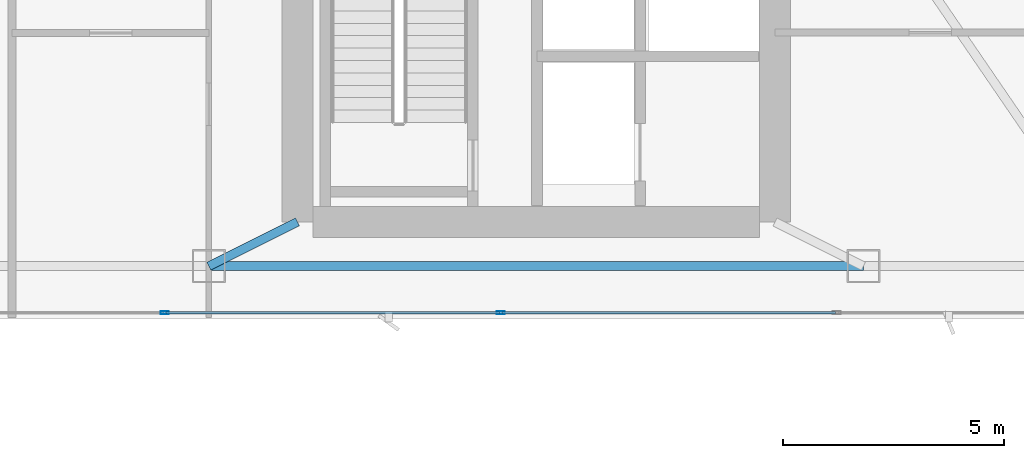
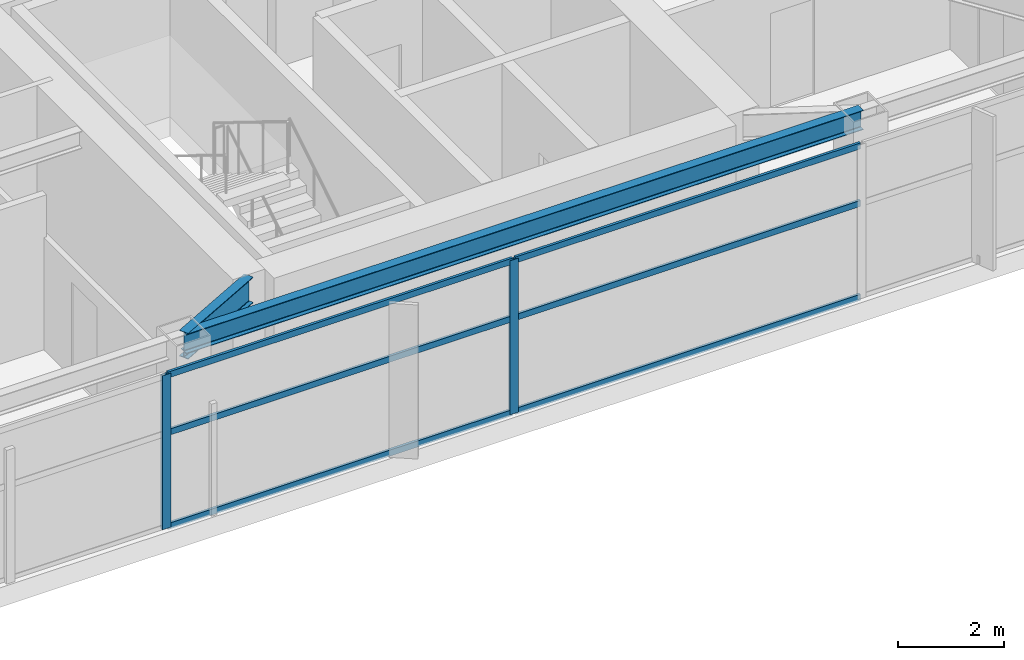
# One storey, part 6 of 29: 8 members, 2 beams, 1 element without a shape of its own.
"""IFC4 building model written with IfcOpenShell, lengths in metres."""

from ifc_helpers import new_model, si_unit, direction, frame, origin, origin_2d, place, context, subcontext, project, spatial, hollow_rectangle, i_section, extrude, material, layer, layer_set, material_profile, profile_set, type_object, element, aggregate, save


model = new_model("IFC4")

# Units and contexts
model_context = context("Model", 3, precision=1e-05, world=origin(), true_north=direction((0.0, 1.0)))
body_context = subcontext(model_context, "Body", "Model", "MODEL_VIEW")
ifc_project = project(units=[si_unit("LENGTHUNIT", "METRE"), si_unit("AREAUNIT", "SQUARE_METRE"), si_unit("VOLUMEUNIT", "CUBIC_METRE"), si_unit("PLANEANGLEUNIT", "RADIAN"), si_unit("MASSUNIT", "GRAM", prefix="KILO")], contexts=[model_context])

# Site, building, storey
site_placement = place(None, origin())
site = spatial("IfcSite", under=ifc_project, at=site_placement, CompositionType="ELEMENT")
building_placement = place(site_placement, origin())
building = spatial("IfcBuilding", under=site, at=building_placement, Name="Calvorn Quay Hotel", CompositionType="ELEMENT")
storey_placement = place(building_placement, frame((0.0, 0.0, 199.60009765625)))
storey = spatial("IfcBuildingStorey", under=building, at=storey_placement, Name="L49", CompositionType="ELEMENT", Elevation=199.60009765625)

# Beams
ifc_material_1 = material(Name="Steel Q355B", Category="steel")
ifc_material_profile_1 = material_profile(ifc_material_1, i_section(OverallWidth=0.199951171875, OverallDepth=0.60009765625, WebThickness=0.010986328125, FlangeThickness=0.01708984375, FilletRadius=0.01806640625, at=origin_2d()), Name="HN600x200x11x17")
ifc_profile_set_1 = profile_set([ifc_material_profile_1], Name="Steel Q355B")
beam_type_1 = type_object("IfcBeamType", Name="BM-GIRD-TYP", PredefinedType="BEAM", material=ifc_profile_set_1)
beam_1_placement = place(storey_placement, frame((19.60009765625, 3.60009765625, 3.239990234375), z_axis=(0.894427191, 0.4472135955, 0.0), x_axis=(-0.4472135955, 0.894427191, 0.0)))
element("IfcBeam", 1, at=beam_1_placement, inside=storey, type_object=beam_type_1, Name="Beam BG-L49-S2", PredefinedType="BEAM", context=body_context, shape_type="SweptSolid", body=[
    extrude(i_section(OverallWidth=0.199951171875, OverallDepth=0.60009765625, WebThickness=0.010986328125, FlangeThickness=0.01708984375, FilletRadius=0.01806640625, at=origin_2d()), origin(), (0.0, 0.0, 1.0), 2.236083984375),
])
ifc_material_2 = material(Name="Steel Q355B", Category="steel")
ifc_material_profile_2 = material_profile(ifc_material_2, i_section(OverallWidth=0.199951171875, OverallDepth=0.449951171875, WebThickness=0.009033203125, FlangeThickness=0.013916015625, FilletRadius=0.01611328125, at=origin_2d()), Name="HN450x200x9x14")
ifc_profile_set_2 = profile_set([ifc_material_profile_2], Name="Steel Q355B")
beam_type_2 = type_object("IfcBeamType", Name="BM-SPANDREL-Z3", PredefinedType="SPANDREL", material=ifc_profile_set_2)
beam_2_placement = place(storey_placement, frame((19.60009765625, 3.60009765625, 3.31494140625), z_axis=(1.0, 0.0, 0.0), x_axis=(0.0, 1.0, 0.0)))
element("IfcBeam", 2, at=beam_2_placement, inside=storey, type_object=beam_type_2, Name="Beam BSP-L49-S3", PredefinedType="SPANDREL", context=body_context, shape_type="SweptSolid", body=[
    extrude(i_section(OverallWidth=0.199951171875, OverallDepth=0.449951171875, WebThickness=0.009033203125, FlangeThickness=0.013916015625, FilletRadius=0.01611328125, at=origin_2d()), origin(), (0.0, 0.0, 1.0), 14.7998046875),
])

# Curtain wall, members
ifc_material_3 = material(Name="Champagne Bronze Anodised Aluminium and Low-E Glass", Category="aluminium")
ifc_layer = layer(ifc_material_3, 0.219970703125)
ifc_layer_set = layer_set([ifc_layer], Name="CW-SYS-Z3")
curtain_wall_type = type_object("IfcCurtainWallType", Name="CW-SYS-Z3", PredefinedType="NOTDEFINED", material=ifc_layer_set)
curtain_wall_placement = place(storey_placement, origin())
curtain_wall = element("IfcCurtainWall", 3, at=curtain_wall_placement, inside=storey, type_object=curtain_wall_type, Name="Tower South Waterfront Curtain Wall (L49)", PredefinedType="NOTDEFINED")
ifc_material_4 = material(Name="Champagne Bronze Anodised Aluminium 6063-T6", Category="aluminium")
ifc_material_profile_3 = material_profile(ifc_material_4, hollow_rectangle(XDim=0.068115234375, YDim=0.18505859375, WallThickness=0.00390625, at=origin_2d()), Name="ALU-M185x68x4")
ifc_profile_set_3 = profile_set([ifc_material_profile_3], Name="Champagne Bronze Anodised Aluminium 6063-T6")
member_type_1 = type_object("IfcMemberType", Name="CW-SYS-Z3-MUL", PredefinedType="MULLION", material=ifc_profile_set_3)
member_1_placement = place(storey_placement, frame((18.60009765625, 2.550048828125, 0.0), z_axis=(0.0, 0.0, 1.0), x_axis=(0.0, 1.0, 0.0)))
member_1 = element("IfcMember", 4, at=member_1_placement, type_object=member_type_1, Name="CW-L49-S mullion 2", PredefinedType="MULLION", context=body_context, shape_type="SweptSolid", body=[
    extrude(hollow_rectangle(XDim=0.068115234375, YDim=0.18505859375, WallThickness=0.00390625, at=origin_2d()), origin(), (0.0, 0.0, 1.0), 3.559814453125),
])
member_2_placement = place(storey_placement, frame((26.199951171875, 2.550048828125, 0.0), z_axis=(0.0, 0.0, 1.0), x_axis=(0.0, 1.0, 0.0)))
member_2 = element("IfcMember", 5, at=member_2_placement, type_object=member_type_1, Name="CW-L49-S mullion 3", PredefinedType="MULLION", context=body_context, shape_type="SweptSolid", body=[
    extrude(hollow_rectangle(XDim=0.068115234375, YDim=0.18505859375, WallThickness=0.00390625, at=origin_2d()), origin(), (0.0, 0.0, 1.0), 3.559814453125),
])
ifc_material_5 = material(Name="Champagne Bronze Anodised Aluminium 6063-T6", Category="aluminium")
ifc_material_profile_4 = material_profile(ifc_material_5, hollow_rectangle(XDim=0.05810546875, YDim=0.139892578125, WallThickness=0.003173828125, at=origin_2d()), Name="ALU-T140x58x3.2")
ifc_profile_set_4 = profile_set([ifc_material_profile_4], Name="Champagne Bronze Anodised Aluminium 6063-T6")
member_type_2 = type_object("IfcMemberType", Name="CW-SYS-Z3-TRN", PredefinedType="USERDEFINED", material=ifc_profile_set_4)
member_3_placement = place(storey_placement, frame((18.6298828125, 2.550048828125, 0.02978515625), z_axis=(1.0, 0.0, 0.0), x_axis=(0.0, 1.0, 0.0)))
member_3 = element("IfcMember", 6, at=member_3_placement, type_object=member_type_2, Name="CW-L49-S transom 2.1", ObjectType="TRANSOM", PredefinedType="USERDEFINED", context=body_context, shape_type="SweptSolid", body=[
    extrude(hollow_rectangle(XDim=0.05810546875, YDim=0.139892578125, WallThickness=0.003173828125, at=origin_2d()), origin(), (0.0, 0.0, 1.0), 7.5400390625),
])
member_4_placement = place(storey_placement, frame((18.6298828125, 2.550048828125, 2.199951171875), z_axis=(1.0, 0.0, 0.0), x_axis=(0.0, 1.0, 0.0)))
member_4 = element("IfcMember", 7, at=member_4_placement, type_object=member_type_2, Name="CW-L49-S transom 2.2", ObjectType="TRANSOM", PredefinedType="USERDEFINED", context=body_context, shape_type="SweptSolid", body=[
    extrude(hollow_rectangle(XDim=0.05810546875, YDim=0.139892578125, WallThickness=0.003173828125, at=origin_2d()), origin(), (0.0, 0.0, 1.0), 7.5400390625),
])
member_5_placement = place(storey_placement, frame((18.6298828125, 2.550048828125, 3.52978515625), z_axis=(1.0, 0.0, 0.0), x_axis=(0.0, 1.0, 0.0)))
member_5 = element("IfcMember", 8, at=member_5_placement, type_object=member_type_2, Name="CW-L49-S transom 2.3", ObjectType="TRANSOM", PredefinedType="USERDEFINED", context=body_context, shape_type="SweptSolid", body=[
    extrude(hollow_rectangle(XDim=0.05810546875, YDim=0.139892578125, WallThickness=0.003173828125, at=origin_2d()), origin(), (0.0, 0.0, 1.0), 7.5400390625),
])
member_6_placement = place(storey_placement, frame((26.22998046875, 2.550048828125, 0.02978515625), z_axis=(1.0, 0.0, 0.0), x_axis=(0.0, 1.0, 0.0)))
member_6 = element("IfcMember", 9, at=member_6_placement, type_object=member_type_2, Name="CW-L49-S transom 3.1", ObjectType="TRANSOM", PredefinedType="USERDEFINED", context=body_context, shape_type="SweptSolid", body=[
    extrude(hollow_rectangle(XDim=0.05810546875, YDim=0.139892578125, WallThickness=0.003173828125, at=origin_2d()), origin(), (0.0, 0.0, 1.0), 7.5400390625),
])
member_7_placement = place(storey_placement, frame((26.22998046875, 2.550048828125, 2.199951171875), z_axis=(1.0, 0.0, 0.0), x_axis=(0.0, 1.0, 0.0)))
member_7 = element("IfcMember", 10, at=member_7_placement, type_object=member_type_2, Name="CW-L49-S transom 3.2", ObjectType="TRANSOM", PredefinedType="USERDEFINED", context=body_context, shape_type="SweptSolid", body=[
    extrude(hollow_rectangle(XDim=0.05810546875, YDim=0.139892578125, WallThickness=0.003173828125, at=origin_2d()), origin(), (0.0, 0.0, 1.0), 7.5400390625),
])
member_8_placement = place(storey_placement, frame((26.22998046875, 2.550048828125, 3.52978515625), z_axis=(1.0, 0.0, 0.0), x_axis=(0.0, 1.0, 0.0)))
member_8 = element("IfcMember", 11, at=member_8_placement, type_object=member_type_2, Name="CW-L49-S transom 3.3", ObjectType="TRANSOM", PredefinedType="USERDEFINED", context=body_context, shape_type="SweptSolid", body=[
    extrude(hollow_rectangle(XDim=0.05810546875, YDim=0.139892578125, WallThickness=0.003173828125, at=origin_2d()), origin(), (0.0, 0.0, 1.0), 7.5400390625),
])
aggregate(curtain_wall, [member_1, member_2, member_3, member_4, member_5, member_6, member_7, member_8])

save(model, "model.ifc")
